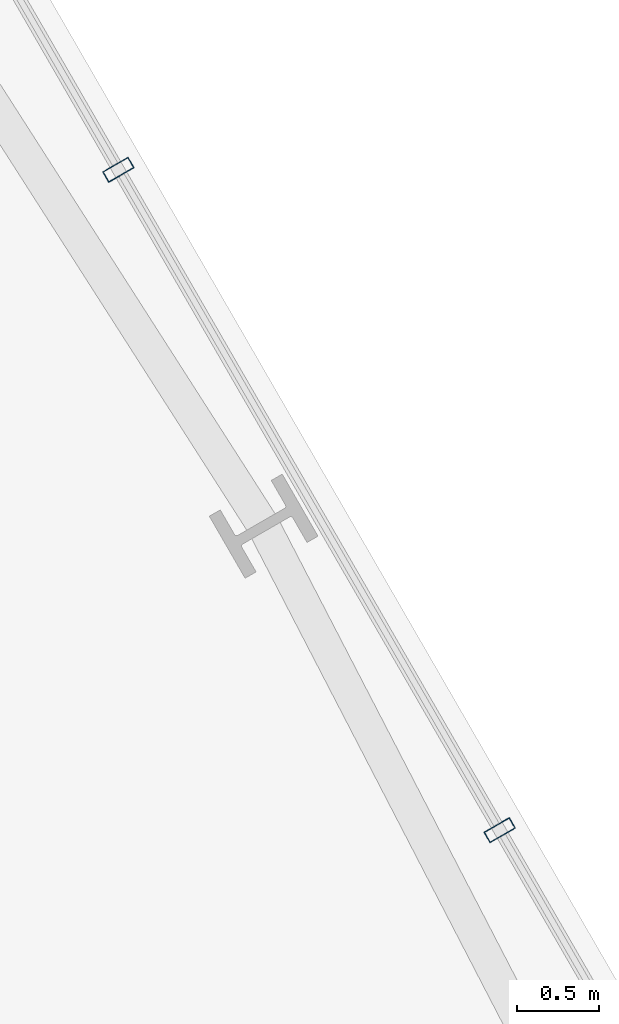
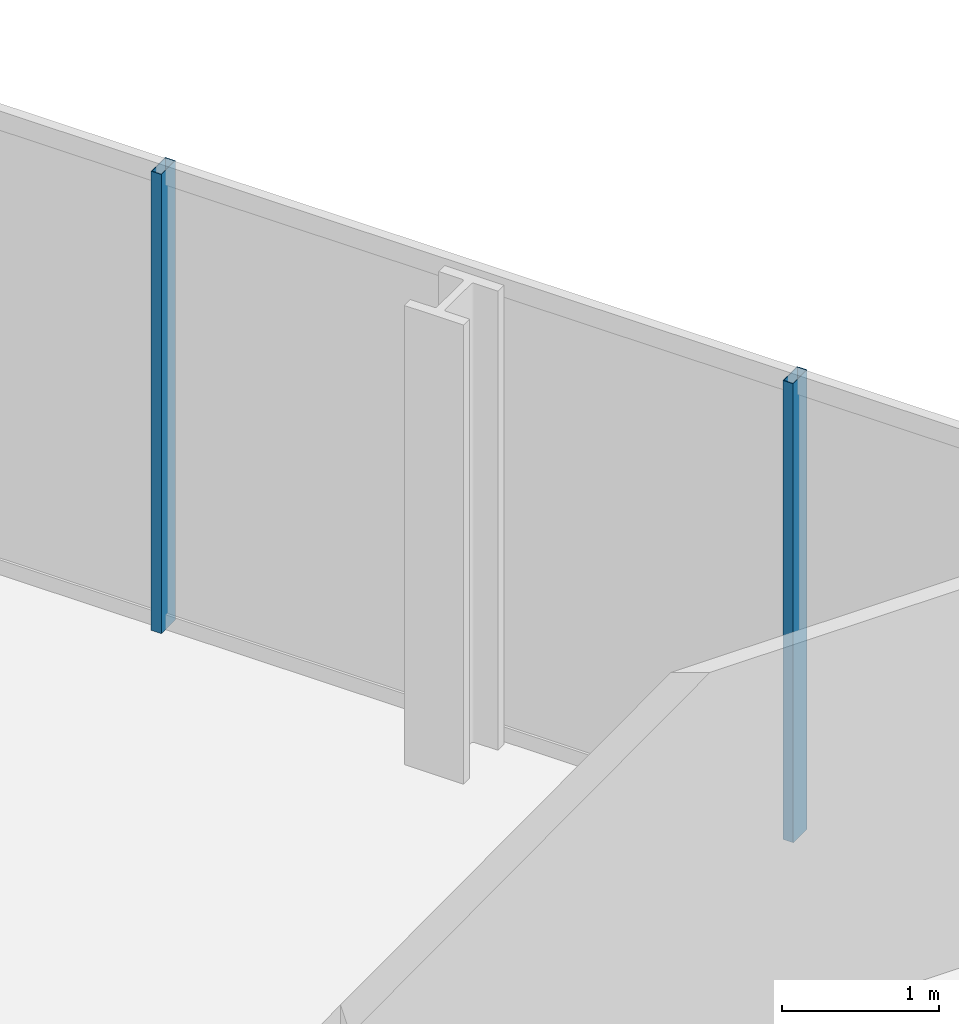
# One storey, part 21 of 33: 2 members, 1 element without a shape of its own.
"""IFC4 building model written with IfcOpenShell, lengths in metres."""

from ifc_helpers import new_model, si_unit, direction, frame, origin, origin_2d, place, context, subcontext, project, spatial, hollow_rectangle, extrude, material, layer, layer_set, material_profile, profile_set, type_object, element, aggregate, save


model = new_model("IFC4")

# Units and contexts
model_context = context("Model", 3, precision=1e-05, world=origin(), true_north=direction((0.0, 1.0)))
body_context = subcontext(model_context, "Body", "Model", "MODEL_VIEW")
ifc_project = project(units=[si_unit("LENGTHUNIT", "METRE"), si_unit("AREAUNIT", "SQUARE_METRE"), si_unit("VOLUMEUNIT", "CUBIC_METRE"), si_unit("PLANEANGLEUNIT", "RADIAN"), si_unit("MASSUNIT", "GRAM", prefix="KILO")], contexts=[model_context])

# Site, building, storey
site_placement = place(None, origin())
site = spatial("IfcSite", under=ifc_project, at=site_placement, CompositionType="ELEMENT")
building_placement = place(site_placement, origin())
building = spatial("IfcBuilding", under=site, at=building_placement, Name="Ndaravel Arena Tower", CompositionType="ELEMENT")
storey_placement = place(building_placement, frame((0.0, 0.0, 85.39990234375)))
storey = spatial("IfcBuildingStorey", under=building, at=storey_placement, Name="L19", CompositionType="ELEMENT", Elevation=85.39990234375)

# Curtain wall, members
ifc_material_1 = material(Name="Aluminium", Category="aluminium")
ifc_layer = layer(ifc_material_1, 0.179931640625)
ifc_layer_set = layer_set([ifc_layer], Name="Aluminium")
curtain_wall_type = type_object("IfcCurtainWallType", Name="CW-SYS-03", PredefinedType="NOTDEFINED", material=ifc_layer_set)
curtain_wall_placement = place(storey_placement, origin())
curtain_wall = element("IfcCurtainWall", 1, at=curtain_wall_placement, inside=storey, type_object=curtain_wall_type, Name="L19 Faceted Crystal Curtain Wall CW-L19-E03", PredefinedType="NOTDEFINED")
ifc_material_2 = material(Name="Aluminium", Category="aluminium")
ifc_material_profile = material_profile(ifc_material_2, hollow_rectangle(XDim=0.074951171875, YDim=0.179931640625, WallThickness=0.00390625, at=origin_2d()), Name="CW MULLION 75x180x4")
ifc_profile_set = profile_set([ifc_material_profile], Name="Aluminium")
member_type = type_object("IfcMemberType", Name="MEM-CW-MUL180", PredefinedType="MULLION", material=ifc_profile_set)
member_1_placement = place(storey_placement, frame((58.529296875, 29.754150390625, 0.0), z_axis=(0.0, 0.0, 1.0), x_axis=(-0.5, 0.866025403784, 0.0)))
member_1 = element("IfcMember", 2, at=member_1_placement, type_object=member_type, Name="CW-L19-E03 Mullion 03", PredefinedType="MULLION", context=body_context, shape_type="SweptSolid", body=[
    extrude(hollow_rectangle(XDim=0.074951171875, YDim=0.179931640625, WallThickness=0.00390625, at=origin_2d()), origin(), (0.0, 0.0, 1.0), 3.580078125),
])
member_2_placement = place(storey_placement, frame((56.199462890625, 33.78955078125, 0.0), z_axis=(0.0, 0.0, 1.0), x_axis=(-0.5, 0.866025403784, 0.0)))
member_2 = element("IfcMember", 3, at=member_2_placement, type_object=member_type, Name="CW-L19-E03 Mullion 04", PredefinedType="MULLION", context=body_context, shape_type="SweptSolid", body=[
    extrude(hollow_rectangle(XDim=0.074951171875, YDim=0.179931640625, WallThickness=0.00390625, at=origin_2d()), origin(), (0.0, 0.0, 1.0), 3.580078125),
])
aggregate(curtain_wall, [member_1, member_2])

save(model, "model.ifc")
